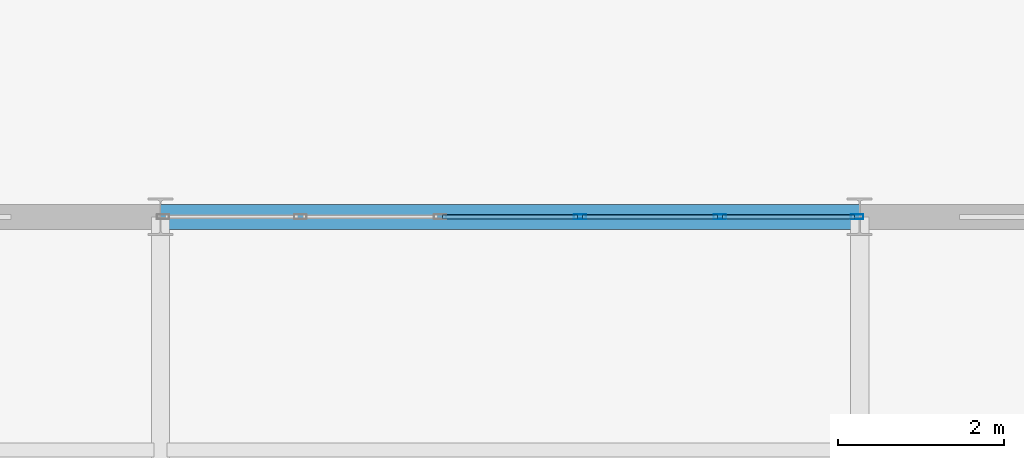
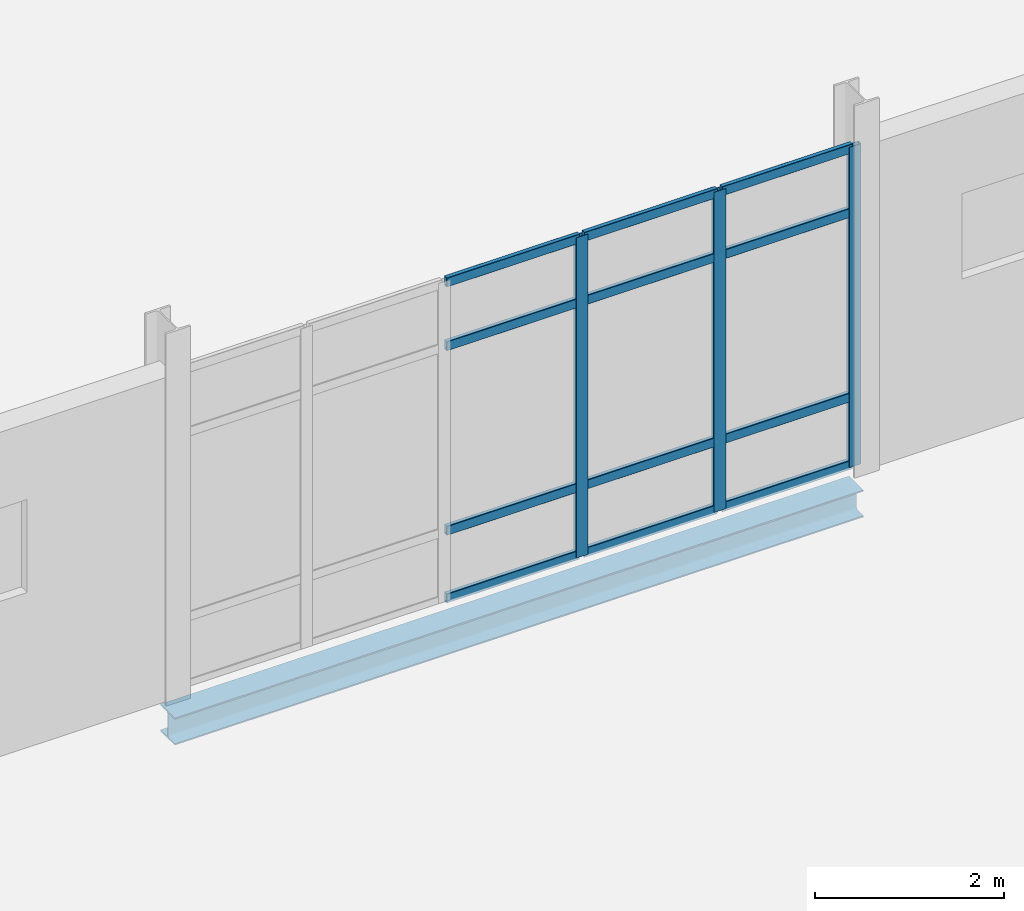
# One storey, part 101 of 145: 15 members, 1 beam, 1 element without a shape of its own.
"""IFC4 building model written with IfcOpenShell, lengths in metres."""

from ifc_helpers import new_model, si_unit, direction, frame, origin, origin_2d, place, context, subcontext, project, spatial, hollow_rectangle, i_section, extrude, material, layer, layer_set, material_profile, profile_set, type_object, element, aggregate, save


model = new_model("IFC4")

# Units and contexts
model_context = context("Model", 3, precision=1e-05, world=origin(), true_north=direction((0.0, 1.0)))
body_context = subcontext(model_context, "Body", "Model", "MODEL_VIEW")
ifc_project = project(units=[si_unit("LENGTHUNIT", "METRE"), si_unit("AREAUNIT", "SQUARE_METRE"), si_unit("VOLUMEUNIT", "CUBIC_METRE"), si_unit("PLANEANGLEUNIT", "RADIAN"), si_unit("MASSUNIT", "GRAM", prefix="KILO")], contexts=[model_context])

# Site, building, storey
site_placement = place(None, origin())
site = spatial("IfcSite", under=ifc_project, at=site_placement, CompositionType="ELEMENT")
building_placement = place(site_placement, origin())
building = spatial("IfcBuilding", under=site, at=building_placement, Name="Qalvenar Corner Mobility Hub", CompositionType="ELEMENT")
storey_placement = place(building_placement, origin())
storey = spatial("IfcBuildingStorey", under=building, at=storey_placement, Name="L00", CompositionType="ELEMENT", Elevation=0.0)

# Beam
ifc_material_1 = material(Name="Steel S355", Category="steel")
ifc_material_profile_1 = material_profile(ifc_material_1, i_section(OverallWidth=0.300048828125, OverallDepth=0.35009765625, WebThickness=0.010009765625, FlangeThickness=0.017578125, FilletRadius=0.027099609375, at=origin_2d()), Name="HEA360")
ifc_profile_set_1 = profile_set([ifc_material_profile_1], Name="Steel S355")
beam_type = type_object("IfcBeamType", Name="BM-SPN360", PredefinedType="SPANDREL", material=ifc_profile_set_1)
beam_placement = place(storey_placement, frame((142.800048828125, 50.39990234375, -0.425048828125), z_axis=(1.0, 0.0, 0.0), x_axis=(0.0, 1.0, 0.0)))
element("IfcBeam", 1, at=beam_placement, inside=storey, type_object=beam_type, Name="Primary Steel Girder GX-0294", PredefinedType="SPANDREL", context=body_context, shape_type="SweptSolid", body=[
    extrude(i_section(OverallWidth=0.300048828125, OverallDepth=0.35009765625, WebThickness=0.010009765625, FlangeThickness=0.017578125, FilletRadius=0.027099609375, at=origin_2d()), origin(), (0.0, 0.0, 1.0), 8.39990234375),
])

# Curtain wall, members
ifc_material_2 = material(Name="Anodised Aluminium and Low-E Glazing", Category="aluminium")
ifc_layer = layer(ifc_material_2, 0.14990234375)
ifc_layer_set = layer_set([ifc_layer], Name="Anodised Aluminium and Low-E Glazing")
curtain_wall_type = type_object("IfcCurtainWallType", Name="CW-WKS-84X44", PredefinedType="NOTDEFINED", material=ifc_layer_set)
curtain_wall_placement = place(storey_placement, origin())
curtain_wall = element("IfcCurtainWall", 2, at=curtain_wall_placement, inside=storey, type_object=curtain_wall_type, Name="Glazed Curtain Wall CW-V6-L00-N4", PredefinedType="NOTDEFINED")
ifc_material_3 = material(Name="Anodised Aluminium 6063-T6", Category="aluminium")
ifc_material_profile_2 = material_profile(ifc_material_3, hollow_rectangle(XDim=0.06005859375, YDim=0.14990234375, WallThickness=0.00390625, InnerFilletRadius=0.00390625, OuterFilletRadius=0.008056640625, at=origin_2d()), Name="RHS150x60x4")
ifc_profile_set_2 = profile_set([ifc_material_profile_2], Name="Anodised Aluminium 6063-T6")
member_type_1 = type_object("IfcMemberType", Name="CW-MUL150", PredefinedType="MULLION", material=ifc_profile_set_2)
member_1_placement = place(storey_placement, frame((151.169921875, 50.39990234375, 0.0), z_axis=(0.0, 0.0, 1.0), x_axis=(0.0, -1.0, 0.0)))
member_1 = element("IfcMember", 3, at=member_1_placement, type_object=member_type_1, Name="CW-09 mullion 1", PredefinedType="MULLION", context=body_context, shape_type="SweptSolid", body=[
    extrude(hollow_rectangle(XDim=0.06005859375, YDim=0.14990234375, WallThickness=0.00390625, InnerFilletRadius=0.00390625, OuterFilletRadius=0.008056640625, at=origin_2d()), origin(), (0.0, 0.0, 1.0), 4.1298828125),
])
member_2_placement = place(storey_placement, frame((149.52001953125, 50.39990234375, 0.0), z_axis=(0.0, 0.0, 1.0), x_axis=(0.0, -1.0, 0.0)))
member_2 = element("IfcMember", 4, at=member_2_placement, type_object=member_type_1, Name="CW-09 mullion 2", PredefinedType="MULLION", context=body_context, shape_type="SweptSolid", body=[
    extrude(hollow_rectangle(XDim=0.06005859375, YDim=0.14990234375, WallThickness=0.00390625, InnerFilletRadius=0.00390625, OuterFilletRadius=0.008056640625, at=origin_2d()), origin(), (0.0, 0.0, 1.0), 4.1298828125),
])
member_3_placement = place(storey_placement, frame((147.840087890625, 50.39990234375, 0.0), z_axis=(0.0, 0.0, 1.0), x_axis=(0.0, -1.0, 0.0)))
member_3 = element("IfcMember", 5, at=member_3_placement, type_object=member_type_1, Name="CW-09 mullion 3", PredefinedType="MULLION", context=body_context, shape_type="SweptSolid", body=[
    extrude(hollow_rectangle(XDim=0.06005859375, YDim=0.14990234375, WallThickness=0.00390625, InnerFilletRadius=0.00390625, OuterFilletRadius=0.008056640625, at=origin_2d()), origin(), (0.0, 0.0, 1.0), 4.1298828125),
])
ifc_material_profile_3 = material_profile(ifc_material_3, hollow_rectangle(XDim=0.054931640625, YDim=0.1201171875, WallThickness=0.00341796875, InnerFilletRadius=0.00341796875, OuterFilletRadius=0.007080078125, at=origin_2d()), Name="RHS120x55x3.5")
ifc_profile_set_3 = profile_set([ifc_material_profile_3], Name="Anodised Aluminium 6063-T6")
member_type_2 = type_object("IfcMemberType", Name="CW-TRN120", PredefinedType="USERDEFINED", material=ifc_profile_set_3)
member_4_placement = place(storey_placement, frame((151.139892578125, 50.39990234375, 0.027587890625), z_axis=(-1.0, 0.0, 0.0), x_axis=(0.0, -1.0, 0.0)))
member_4 = element("IfcMember", 6, at=member_4_placement, type_object=member_type_2, Name="CW-09 transom 1.1", ObjectType="TRANSOM", PredefinedType="USERDEFINED", context=body_context, shape_type="SweptSolid", body=[
    extrude(hollow_rectangle(XDim=0.054931640625, YDim=0.1201171875, WallThickness=0.00341796875, InnerFilletRadius=0.00341796875, OuterFilletRadius=0.007080078125, at=origin_2d()), origin(), (0.0, 0.0, 1.0), 1.58984375),
])
member_5_placement = place(storey_placement, frame((151.139892578125, 50.39990234375, 0.89990234375), z_axis=(-1.0, 0.0, 0.0), x_axis=(0.0, -1.0, 0.0)))
member_5 = element("IfcMember", 7, at=member_5_placement, type_object=member_type_2, Name="CW-09 transom 1.2", ObjectType="TRANSOM", PredefinedType="USERDEFINED", context=body_context, shape_type="SweptSolid", body=[
    extrude(hollow_rectangle(XDim=0.054931640625, YDim=0.1201171875, WallThickness=0.00341796875, InnerFilletRadius=0.00341796875, OuterFilletRadius=0.007080078125, at=origin_2d()), origin(), (0.0, 0.0, 1.0), 1.58984375),
])
member_6_placement = place(storey_placement, frame((151.139892578125, 50.39990234375, 3.280029296875), z_axis=(-1.0, 0.0, 0.0), x_axis=(0.0, -1.0, 0.0)))
member_6 = element("IfcMember", 8, at=member_6_placement, type_object=member_type_2, Name="CW-09 transom 1.3", ObjectType="TRANSOM", PredefinedType="USERDEFINED", context=body_context, shape_type="SweptSolid", body=[
    extrude(hollow_rectangle(XDim=0.054931640625, YDim=0.1201171875, WallThickness=0.00341796875, InnerFilletRadius=0.00341796875, OuterFilletRadius=0.007080078125, at=origin_2d()), origin(), (0.0, 0.0, 1.0), 1.58984375),
])
member_7_placement = place(storey_placement, frame((151.139892578125, 50.39990234375, 4.1025390625), z_axis=(-1.0, 0.0, 0.0), x_axis=(0.0, -1.0, 0.0)))
member_7 = element("IfcMember", 9, at=member_7_placement, type_object=member_type_2, Name="CW-09 transom 1.4", ObjectType="TRANSOM", PredefinedType="USERDEFINED", context=body_context, shape_type="SweptSolid", body=[
    extrude(hollow_rectangle(XDim=0.054931640625, YDim=0.1201171875, WallThickness=0.00341796875, InnerFilletRadius=0.00341796875, OuterFilletRadius=0.007080078125, at=origin_2d()), origin(), (0.0, 0.0, 1.0), 1.58984375),
])
member_8_placement = place(storey_placement, frame((149.489990234375, 50.39990234375, 0.027587890625), z_axis=(-1.0, 0.0, 0.0), x_axis=(0.0, -1.0, 0.0)))
member_8 = element("IfcMember", 10, at=member_8_placement, type_object=member_type_2, Name="CW-09 transom 2.1", ObjectType="TRANSOM", PredefinedType="USERDEFINED", context=body_context, shape_type="SweptSolid", body=[
    extrude(hollow_rectangle(XDim=0.054931640625, YDim=0.1201171875, WallThickness=0.00341796875, InnerFilletRadius=0.00341796875, OuterFilletRadius=0.007080078125, at=origin_2d()), origin(), (0.0, 0.0, 1.0), 1.619873046875),
])
member_9_placement = place(storey_placement, frame((149.489990234375, 50.39990234375, 0.89990234375), z_axis=(-1.0, 0.0, 0.0), x_axis=(0.0, -1.0, 0.0)))
member_9 = element("IfcMember", 11, at=member_9_placement, type_object=member_type_2, Name="CW-09 transom 2.2", ObjectType="TRANSOM", PredefinedType="USERDEFINED", context=body_context, shape_type="SweptSolid", body=[
    extrude(hollow_rectangle(XDim=0.054931640625, YDim=0.1201171875, WallThickness=0.00341796875, InnerFilletRadius=0.00341796875, OuterFilletRadius=0.007080078125, at=origin_2d()), origin(), (0.0, 0.0, 1.0), 1.619873046875),
])
member_10_placement = place(storey_placement, frame((149.489990234375, 50.39990234375, 3.280029296875), z_axis=(-1.0, 0.0, 0.0), x_axis=(0.0, -1.0, 0.0)))
member_10 = element("IfcMember", 12, at=member_10_placement, type_object=member_type_2, Name="CW-09 transom 2.3", ObjectType="TRANSOM", PredefinedType="USERDEFINED", context=body_context, shape_type="SweptSolid", body=[
    extrude(hollow_rectangle(XDim=0.054931640625, YDim=0.1201171875, WallThickness=0.00341796875, InnerFilletRadius=0.00341796875, OuterFilletRadius=0.007080078125, at=origin_2d()), origin(), (0.0, 0.0, 1.0), 1.619873046875),
])
member_11_placement = place(storey_placement, frame((149.489990234375, 50.39990234375, 4.1025390625), z_axis=(-1.0, 0.0, 0.0), x_axis=(0.0, -1.0, 0.0)))
member_11 = element("IfcMember", 13, at=member_11_placement, type_object=member_type_2, Name="CW-09 transom 2.4", ObjectType="TRANSOM", PredefinedType="USERDEFINED", context=body_context, shape_type="SweptSolid", body=[
    extrude(hollow_rectangle(XDim=0.054931640625, YDim=0.1201171875, WallThickness=0.00341796875, InnerFilletRadius=0.00341796875, OuterFilletRadius=0.007080078125, at=origin_2d()), origin(), (0.0, 0.0, 1.0), 1.619873046875),
])
member_12_placement = place(storey_placement, frame((147.81005859375, 50.39990234375, 0.027587890625), z_axis=(-1.0, 0.0, 0.0), x_axis=(0.0, -1.0, 0.0)))
member_12 = element("IfcMember", 14, at=member_12_placement, type_object=member_type_2, Name="CW-09 transom 3.1", ObjectType="TRANSOM", PredefinedType="USERDEFINED", context=body_context, shape_type="SweptSolid", body=[
    extrude(hollow_rectangle(XDim=0.054931640625, YDim=0.1201171875, WallThickness=0.00341796875, InnerFilletRadius=0.00341796875, OuterFilletRadius=0.007080078125, at=origin_2d()), origin(), (0.0, 0.0, 1.0), 1.6201171875),
])
member_13_placement = place(storey_placement, frame((147.81005859375, 50.39990234375, 0.89990234375), z_axis=(-1.0, 0.0, 0.0), x_axis=(0.0, -1.0, 0.0)))
member_13 = element("IfcMember", 15, at=member_13_placement, type_object=member_type_2, Name="CW-09 transom 3.2", ObjectType="TRANSOM", PredefinedType="USERDEFINED", context=body_context, shape_type="SweptSolid", body=[
    extrude(hollow_rectangle(XDim=0.054931640625, YDim=0.1201171875, WallThickness=0.00341796875, InnerFilletRadius=0.00341796875, OuterFilletRadius=0.007080078125, at=origin_2d()), origin(), (0.0, 0.0, 1.0), 1.6201171875),
])
member_14_placement = place(storey_placement, frame((147.81005859375, 50.39990234375, 3.280029296875), z_axis=(-1.0, 0.0, 0.0), x_axis=(0.0, -1.0, 0.0)))
member_14 = element("IfcMember", 16, at=member_14_placement, type_object=member_type_2, Name="CW-09 transom 3.3", ObjectType="TRANSOM", PredefinedType="USERDEFINED", context=body_context, shape_type="SweptSolid", body=[
    extrude(hollow_rectangle(XDim=0.054931640625, YDim=0.1201171875, WallThickness=0.00341796875, InnerFilletRadius=0.00341796875, OuterFilletRadius=0.007080078125, at=origin_2d()), origin(), (0.0, 0.0, 1.0), 1.6201171875),
])
member_15_placement = place(storey_placement, frame((147.81005859375, 50.39990234375, 4.1025390625), z_axis=(-1.0, 0.0, 0.0), x_axis=(0.0, -1.0, 0.0)))
member_15 = element("IfcMember", 17, at=member_15_placement, type_object=member_type_2, Name="CW-09 transom 3.4", ObjectType="TRANSOM", PredefinedType="USERDEFINED", context=body_context, shape_type="SweptSolid", body=[
    extrude(hollow_rectangle(XDim=0.054931640625, YDim=0.1201171875, WallThickness=0.00341796875, InnerFilletRadius=0.00341796875, OuterFilletRadius=0.007080078125, at=origin_2d()), origin(), (0.0, 0.0, 1.0), 1.6201171875),
])
aggregate(curtain_wall, [member_1, member_2, member_3, member_4, member_5, member_6, member_7, member_8, member_9, member_10, member_11, member_12, member_13, member_14, member_15])

save(model, "model.ifc")
